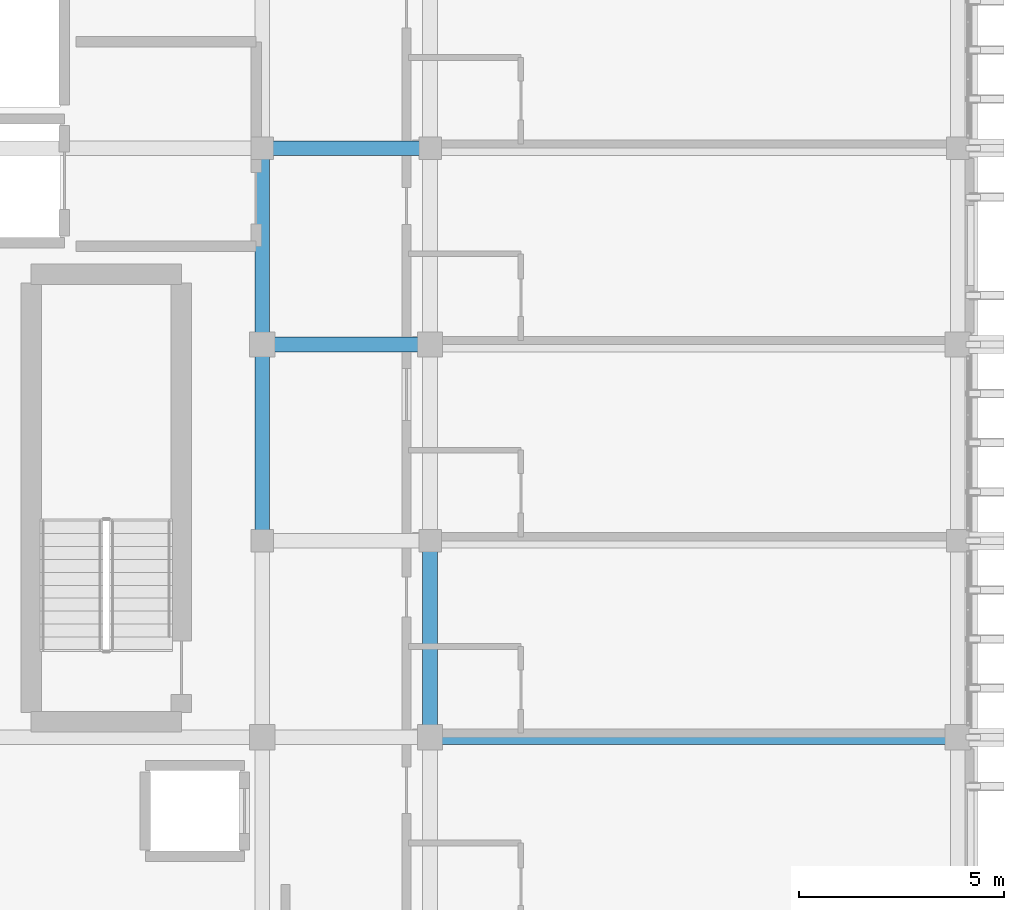
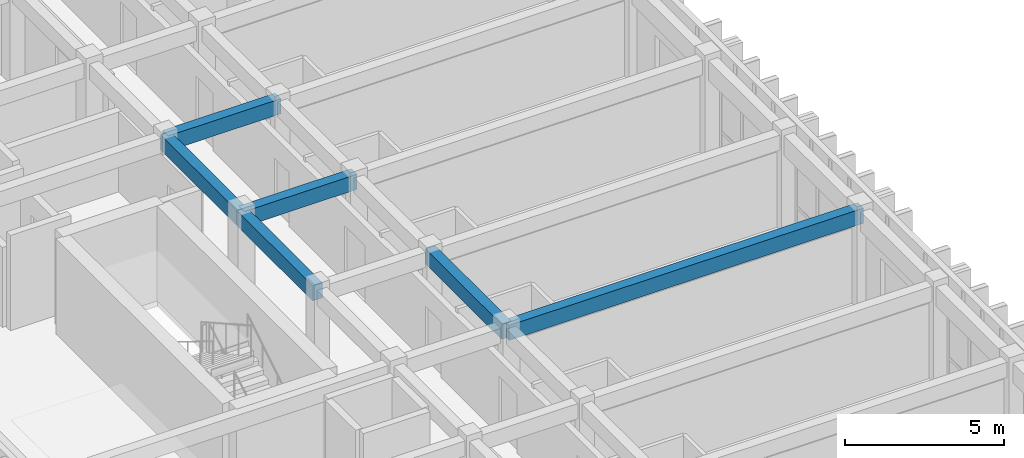
# One storey, part 13 of 50: 6 beams.
"""IFC4 building model written with IfcOpenShell, lengths in metres."""

from ifc_helpers import new_model, si_unit, direction, frame, origin, origin_2d, place, context, subcontext, project, spatial, rectangle, extrude, material, material_profile, profile_set, type_object, element, save


model = new_model("IFC4")

# Units and contexts
model_context = context("Model", 3, precision=1e-05, world=origin(), true_north=direction((0.0, 1.0)))
body_context = subcontext(model_context, "Body", "Model", "MODEL_VIEW")
ifc_project = project(units=[si_unit("LENGTHUNIT", "METRE"), si_unit("AREAUNIT", "SQUARE_METRE"), si_unit("VOLUMEUNIT", "CUBIC_METRE"), si_unit("PLANEANGLEUNIT", "RADIAN"), si_unit("MASSUNIT", "GRAM", prefix="KILO")], contexts=[model_context])

# Site, building, storey
site_placement = place(None, origin())
site = spatial("IfcSite", under=ifc_project, at=site_placement, CompositionType="ELEMENT")
building_placement = place(site_placement, origin())
building = spatial("IfcBuilding", under=site, at=building_placement, Name="Nakhvara Creek Congress Hotel", CompositionType="ELEMENT")
storey_placement = place(building_placement, frame((0.0, 0.0, 42.60009765625)))
storey = spatial("IfcBuildingStorey", under=building, at=storey_placement, Name="L10", CompositionType="ELEMENT", Elevation=42.60009765625)

# Beams
ifc_material = material(Name="Concrete C40/50", Category="concrete")
ifc_material_profile = material_profile(ifc_material, rectangle(XDim=0.360107421875, YDim=0.580078125, at=origin_2d()), Name="RC-BM 360x580", Category="LoadBearing")
ifc_profile_set = profile_set([ifc_material_profile], Name="Concrete C40/50")
beam_type = type_object("IfcBeamType", Name="BM-RC-360X580", PredefinedType="BEAM", material=ifc_profile_set)
beam_1_placement = place(storey_placement, frame((162.35009765625, 86.39990234375, 3.369873046875), z_axis=(1.0, 0.0, 0.0), x_axis=(0.0, 1.0, 0.0)))
element("IfcBeam", 1, at=beam_1_placement, inside=storey, type_object=beam_type, Name="Beam B09-L10-2654", PredefinedType="BEAM", context=body_context, shape_type="SweptSolid", body=[
    extrude(rectangle(XDim=0.360107421875, YDim=0.580078125, at=origin_2d()), origin(), (0.0, 0.0, 1.0), 4.099853515625),
])
beam_2_placement = place(storey_placement, frame((162.35009765625, 81.60009765625, 3.369873046875), z_axis=(0.0, 1.0, 0.0), x_axis=(-1.0, 0.0, 0.0)))
element("IfcBeam", 2, at=beam_2_placement, inside=storey, type_object=beam_type, Name="Beam B09-L10-2655", PredefinedType="BEAM", context=body_context, shape_type="SweptSolid", body=[
    extrude(rectangle(XDim=0.360107421875, YDim=0.580078125, at=origin_2d()), origin(), (0.0, 0.0, 1.0), 4.7998046875),
])
beam_3_placement = place(storey_placement, frame((162.35009765625, 86.39990234375, 3.369873046875), z_axis=(0.0, 1.0, 0.0), x_axis=(-1.0, 0.0, 0.0)))
element("IfcBeam", 3, at=beam_3_placement, inside=storey, type_object=beam_type, Name="Beam B09-L10-2656", PredefinedType="BEAM", context=body_context, shape_type="SweptSolid", body=[
    extrude(rectangle(XDim=0.360107421875, YDim=0.580078125, at=origin_2d()), origin(), (0.0, 0.0, 1.0), 4.800048828125),
])
beam_4_placement = place(storey_placement, frame((166.449951171875, 76.800048828125, 3.369873046875), z_axis=(1.0, 0.0, 0.0), x_axis=(0.0, 1.0, 0.0)))
element("IfcBeam", 4, at=beam_4_placement, inside=storey, type_object=beam_type, Name="Beam B09-L10-2671", PredefinedType="BEAM", context=body_context, shape_type="SweptSolid", body=[
    extrude(rectangle(XDim=0.360107421875, YDim=0.580078125, at=origin_2d()), origin(), (0.0, 0.0, 1.0), 12.900146484375),
])
beam_5_placement = place(storey_placement, frame((166.449951171875, 76.800048828125, 3.369873046875), z_axis=(0.0, 1.0, 0.0), x_axis=(-1.0, 0.0, 0.0)))
element("IfcBeam", 5, at=beam_5_placement, inside=storey, type_object=beam_type, Name="Beam B09-L10-2673", PredefinedType="BEAM", context=body_context, shape_type="SweptSolid", body=[
    extrude(rectangle(XDim=0.360107421875, YDim=0.580078125, at=origin_2d()), origin(), (0.0, 0.0, 1.0), 4.800048828125),
])
beam_6_placement = place(storey_placement, frame((162.35009765625, 91.199951171875, 3.369873046875), z_axis=(1.0, 0.0, 0.0), x_axis=(0.0, 1.0, 0.0)))
element("IfcBeam", 6, at=beam_6_placement, inside=storey, type_object=beam_type, Name="Beam B09-L10-2709", PredefinedType="BEAM", context=body_context, shape_type="SweptSolid", body=[
    extrude(rectangle(XDim=0.360107421875, YDim=0.580078125, at=origin_2d()), origin(), (0.0, 0.0, 1.0), 4.099853515625),
])

save(model, "model.ifc")
